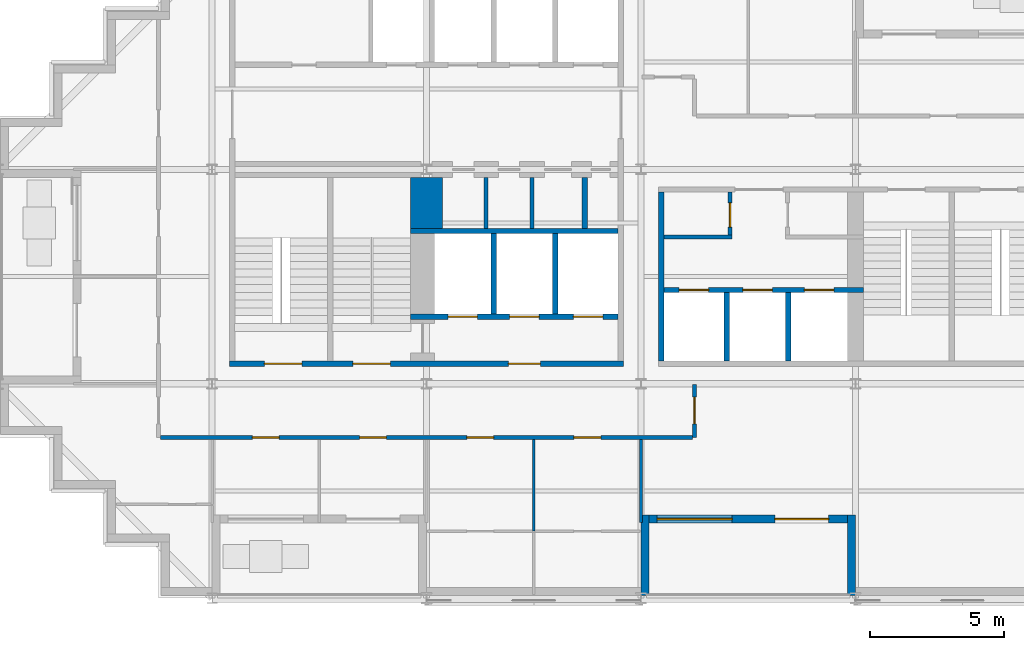
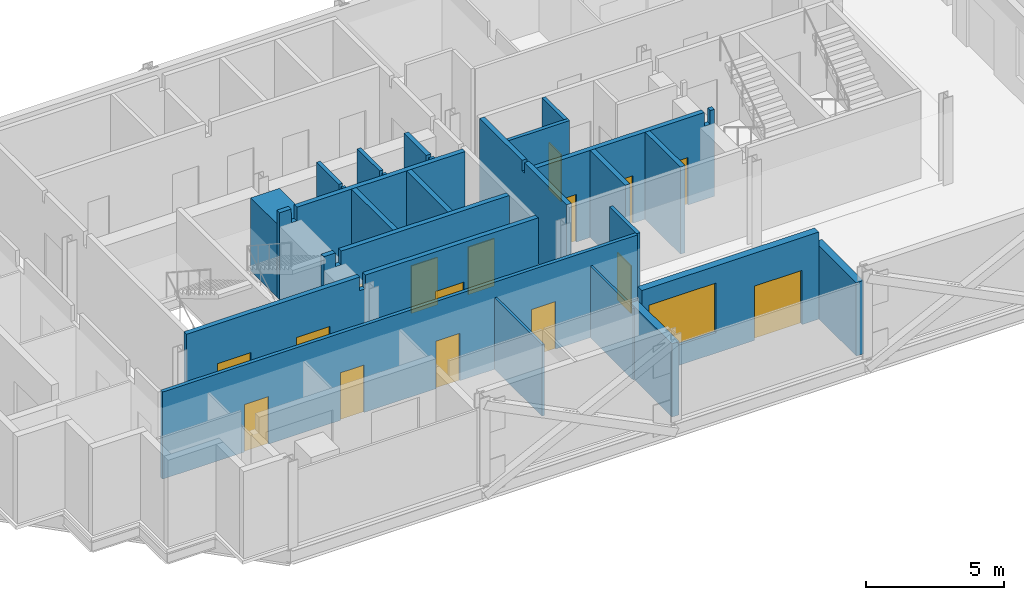
# One storey, part 3 of 8: 22 walls, 16 doors, 1 window, 17 openings.
"""IFC4 building model written with IfcOpenShell, lengths in metres."""

from ifc_helpers import new_model, si_unit, direction, frame, frame_2d, origin, place, context, subcontext, project, spatial, polyline, rectangle, outline, extrude, material, layer, layer_set, type_object, element, fill, save


model = new_model("IFC4")

# Units and contexts
model_context = context("Model", 3, precision=1e-05, world=origin(), true_north=direction((0.0, 1.0)))
body_context = subcontext(model_context, "Body", "Model", "MODEL_VIEW")
ifc_project = project(units=[si_unit("LENGTHUNIT", "METRE"), si_unit("AREAUNIT", "SQUARE_METRE"), si_unit("VOLUMEUNIT", "CUBIC_METRE"), si_unit("PLANEANGLEUNIT", "RADIAN"), si_unit("MASSUNIT", "GRAM", prefix="KILO")], contexts=[model_context])

# Site, building, storey
site_placement = place(None, origin())
site = spatial("IfcSite", under=ifc_project, at=site_placement, CompositionType="ELEMENT")
building_placement = place(site_placement, origin())
building = spatial("IfcBuilding", under=site, at=building_placement, Name="Immortelle Media Tower", CompositionType="ELEMENT")
storey_placement = place(building_placement, frame((0.0, 0.0, 197.0)))
storey = spatial("IfcBuildingStorey", under=building, at=storey_placement, Name="L41", CompositionType="ELEMENT", Elevation=197.0)

# Walls
ifc_material_1 = material(Name="Fire-rated gypsum board", Category="gypsum")
ifc_layer_1 = layer(ifc_material_1, 0.02490234375)
ifc_material_2 = material(Name="Steel ASTM A653 SS Gr 50 stud frame with mineral wool", Category="steel")
ifc_layer_2 = layer(ifc_material_2, 0.10009765625)
ifc_layer_3 = layer(ifc_material_1, 0.02490234375)
ifc_layer_set_1 = layer_set([ifc_layer_1, ifc_layer_2, ifc_layer_3], Name="Steel ASTM A653 SS Gr 50 stud frame with mineral wool")
wall_type_1 = type_object("IfcWallType", Name="Core partition 150", PredefinedType="PARTITIONING", material=ifc_layer_set_1)
for number, where, z_axis, x_axis, name in (
    (1, (18.22509765625, 13.800048828125, 0.0), (0.0, 0.0, 1.0), (0.0, 1.0, 0.0), "Core partition SW"),
    (2, (19.925048828125, 13.800048828125, 0.0), (0.0, 0.0, 1.0), (0.0, 1.0, 0.0), "Core partition SW"),
):
    element("IfcWall", number, at=place(storey_placement, frame(where, z_axis=z_axis, x_axis=x_axis)), inside=storey, type_object=wall_type_1, Name=name, PredefinedType="PARTITIONING", context=body_context, shape_type="SweptSolid", body=[
        extrude(outline(polyline([(0.0, 0.0), (1.89990234375, 0.0), (1.89990234375, 3.85009765625), (0.281494140625, 3.85009765625), (0.280517578125, 3.388916015625), (0.119384765625, 3.388916015625), (0.118408203125, 3.85009765625), (0.0, 3.85009765625), (0.0, 0.0)])), frame((0.0, 0.074951171875, 0.0), z_axis=(0.0, -1.0, 0.0), x_axis=(1.0, 0.0, 0.0)), (0.0, 0.0, 1.0), 0.14990234375),
    ])
wall_1_placement = place(storey_placement, frame((24.85009765625, 13.47509765625, 0.0), z_axis=(0.0, 0.0, 1.0), x_axis=(1.0, 0.0, 0.0)))
element("IfcWall", 3, at=wall_1_placement, inside=storey, type_object=wall_type_1, Name="Core partition SE", PredefinedType="PARTITIONING", context=body_context, shape_type="SweptSolid", body=[
    extrude(rectangle(XDim=2.5498046875, YDim=0.14990234375, at=frame_2d((1.27490234375, 0.0))), origin(), (0.0, 0.0, 1.0), 3.85009765625),
])

# Wall, opening, door
wall_2_placement = place(storey_placement, frame((27.324951171875, 13.550048828125, 0.0), z_axis=(0.0, 0.0, 1.0), x_axis=(0.0, 1.0, 0.0)))
wall_2 = element("IfcWall", 4, at=wall_2_placement, inside=storey, type_object=wall_type_1, Name="Core partition SE", PredefinedType="PARTITIONING", context=body_context, shape_type="SweptSolid", body=[
    extrude(rectangle(XDim=1.599853515625, YDim=0.14990234375, at=frame_2d((0.7998046875, 0.0))), origin(), (0.0, 0.0, 1.0), 3.85009765625),
])
opening_1_placement = place(wall_2_placement, frame((0.300048828125, 0.0, 0.0)))
opening_1 = element("IfcOpeningElement", 5, at=opening_1_placement, cuts=wall_2, Name="Opening O1-K021", PredefinedType="OPENING", context=body_context, shape_type="SweptSolid", body=[
    extrude(rectangle(XDim=0.89990234375, YDim=2.10009765625, at=frame_2d((0.449951171875, 1.050048828125))), frame((0.0, 0.0849609375, 0.0), z_axis=(0.0, -1.0, 0.0), x_axis=(1.0, 0.0, 0.0)), (0.0, 0.0, 1.0), 0.169921875),
])
ifc_material_3 = material(Name="Galvanised steel door leaf and frame ASTM A653", Category="steel")
door_type_1 = type_object("IfcDoorType", Name="Service door 900 x 2100", OperationType="NOTDEFINED", PredefinedType="NOTDEFINED", material=ifc_material_3)
door_1_placement = place(opening_1_placement, origin())
door_1 = element("IfcDoor", 6, at=door_1_placement, inside=storey, type_object=door_type_1, Name="Service O1-K021", OperationType="SINGLE_SWING_RIGHT", OverallHeight=2.10009765625, OverallWidth=0.89990234375, PredefinedType="NOTDEFINED", context=body_context, shape_type="SweptSolid", body=[
    extrude(rectangle(XDim=0.89990234375, YDim=2.10009765625, at=frame_2d((0.449951171875, 1.050048828125))), frame((0.0, 0.02490234375, 0.0), z_axis=(0.0, -1.0, 0.0), x_axis=(1.0, 0.0, 0.0)), (0.0, 0.0, 1.0), 0.050048828125),
])
fill(opening_1, door_1)

# Wall, openings, doors
ifc_layer_4 = layer(ifc_material_1, 0.03759765625)
ifc_layer_5 = layer(ifc_material_2, 0.125)
ifc_layer_6 = layer(ifc_material_1, 0.03759765625)
ifc_layer_set_2 = layer_set([ifc_layer_4, ifc_layer_5, ifc_layer_6], Name="Steel ASTM A653 SS Gr 50 stud frame with mineral wool")
wall_type_2 = type_object("IfcWallType", Name="Core shaft wall 200", PredefinedType="PARTITIONING", material=ifc_layer_set_2)
wall_3_placement = place(storey_placement, frame((15.39990234375, 10.5, 0.0), z_axis=(0.0, 0.0, 1.0), x_axis=(1.0, 0.0, 0.0)))
wall_3 = element("IfcWall", 7, at=wall_3_placement, inside=storey, type_object=wall_type_2, Name="Core shaft wall SW", PredefinedType="PARTITIONING", context=body_context, shape_type="SweptSolid", body=[
    extrude(outline(polyline([(0.0, 0.0), (7.75, 0.0), (7.75, 3.85009765625), (0.718994140625, 3.85009765625), (0.718017578125, 3.241943359375), (0.48193359375, 3.241943359375), (0.48095703125, 3.85009765625), (0.0, 3.85009765625), (0.0, 0.0)])), frame((0.0, 0.10009765625, 0.0), z_axis=(0.0, -1.0, 0.0), x_axis=(1.0, 0.0, 0.0)), (0.0, 0.0, 1.0), 0.199951171875),
])
opening_2_placement = place(wall_3_placement, frame((1.39990234375, 0.0, 0.0)))
opening_2 = element("IfcOpeningElement", 8, at=opening_2_placement, cuts=wall_3, Name="Opening LD", PredefinedType="OPENING", context=body_context, shape_type="SweptSolid", body=[
    extrude(rectangle(XDim=1.10009765625, YDim=2.10009765625, at=frame_2d((0.550048828125, 1.050048828125))), frame((0.0, 0.10986328125, 0.0), z_axis=(0.0, -1.0, 0.0), x_axis=(1.0, 0.0, 0.0)), (0.0, 0.0, 1.0), 0.219970703125),
])
opening_3_placement = place(wall_3_placement, frame((3.699951171875, 0.0, 0.0)))
opening_3 = element("IfcOpeningElement", 9, at=opening_3_placement, cuts=wall_3, Name="Opening LD", PredefinedType="OPENING", context=body_context, shape_type="SweptSolid", body=[
    extrude(rectangle(XDim=1.10009765625, YDim=2.10009765625, at=frame_2d((0.550048828125, 1.050048828125))), frame((0.0, 0.10986328125, 0.0), z_axis=(0.0, -1.0, 0.0), x_axis=(1.0, 0.0, 0.0)), (0.0, 0.0, 1.0), 0.219970703125),
])
opening_4_placement = place(wall_3_placement, frame((6.074951171875, 0.0, 0.0)))
opening_4 = element("IfcOpeningElement", 10, at=opening_4_placement, cuts=wall_3, Name="Opening LD", PredefinedType="OPENING", context=body_context, shape_type="SweptSolid", body=[
    extrude(rectangle(XDim=1.10009765625, YDim=2.10009765625, at=frame_2d((0.550048828125, 1.050048828125))), frame((0.0, 0.10986328125, 0.0), z_axis=(0.0, -1.0, 0.0), x_axis=(1.0, 0.0, 0.0)), (0.0, 0.0, 1.0), 0.219970703125),
])
ifc_material_4 = material(Name="Stainless steel AISI 304", Category="steel")
door_type_2 = type_object("IfcDoorType", Name="Landing door 1100 x 2100", OperationType="SLIDING_TO_LEFT", PredefinedType="NOTDEFINED", material=ifc_material_4)
door_2_placement = place(opening_2_placement, origin())
door_2 = element("IfcDoor", 11, at=door_2_placement, inside=storey, type_object=door_type_2, Name="Landing door FF1 L41", OperationType="SLIDING_TO_LEFT", OverallHeight=2.10009765625, OverallWidth=1.10009765625, PredefinedType="NOTDEFINED", context=body_context, shape_type="SweptSolid", body=[
    extrude(rectangle(XDim=1.10009765625, YDim=2.10009765625, at=frame_2d((0.550048828125, 1.050048828125))), frame((0.0, 0.02490234375, 0.0), z_axis=(0.0, -1.0, 0.0), x_axis=(1.0, 0.0, 0.0)), (0.0, 0.0, 1.0), 0.050048828125),
])
fill(opening_2, door_2)
door_3_placement = place(opening_3_placement, origin())
door_3 = element("IfcDoor", 12, at=door_3_placement, inside=storey, type_object=door_type_2, Name="Landing door FF2 L41", OperationType="SLIDING_TO_LEFT", OverallHeight=2.10009765625, OverallWidth=1.10009765625, PredefinedType="NOTDEFINED", context=body_context, shape_type="SweptSolid", body=[
    extrude(rectangle(XDim=1.10009765625, YDim=2.10009765625, at=frame_2d((0.550048828125, 1.050048828125))), frame((0.0, 0.02490234375, 0.0), z_axis=(0.0, -1.0, 0.0), x_axis=(1.0, 0.0, 0.0)), (0.0, 0.0, 1.0), 0.050048828125),
])
fill(opening_3, door_3)
door_4_placement = place(opening_4_placement, origin())
door_4 = element("IfcDoor", 13, at=door_4_placement, inside=storey, type_object=door_type_2, Name="Landing door FF3 L41", OperationType="SLIDING_TO_LEFT", OverallHeight=2.10009765625, OverallWidth=1.10009765625, PredefinedType="NOTDEFINED", context=body_context, shape_type="SweptSolid", body=[
    extrude(rectangle(XDim=1.10009765625, YDim=2.10009765625, at=frame_2d((0.550048828125, 1.050048828125))), frame((0.0, 0.02490234375, 0.0), z_axis=(0.0, -1.0, 0.0), x_axis=(1.0, 0.0, 0.0)), (0.0, 0.0, 1.0), 0.050048828125),
])
fill(opening_4, door_4)

# Walls
wall_4_placement = place(storey_placement, frame((15.39990234375, 13.699951171875, 0.0), z_axis=(0.0, 0.0, 1.0), x_axis=(1.0, 0.0, 0.0)))
element("IfcWall", 14, at=wall_4_placement, inside=storey, type_object=wall_type_2, Name="Core shaft wall SW", PredefinedType="PARTITIONING", context=body_context, shape_type="SweptSolid", body=[
    extrude(outline(polyline([(0.0, 0.0), (7.75, 0.0), (7.75, 3.85009765625), (0.718994140625, 3.85009765625), (0.718017578125, 3.241943359375), (0.48193359375, 3.241943359375), (0.48095703125, 3.85009765625), (0.0, 3.85009765625), (0.0, 0.0)])), frame((0.0, 0.10009765625, 0.0), z_axis=(0.0, -1.0, 0.0), x_axis=(1.0, 0.0, 0.0)), (0.0, 0.0, 1.0), 0.199951171875),
])
for number, where, z_axis, x_axis, name in (
    (15, (18.5, 10.60009765625, 0.0), (0.0, 0.0, 1.0), (0.0, 1.0, 0.0), "Core shaft wall SW"),
    (16, (20.800048828125, 10.60009765625, 0.0), (0.0, 0.0, 1.0), (0.0, 1.0, 0.0), "Core shaft wall SW"),
):
    element("IfcWall", number, at=place(storey_placement, frame(where, z_axis=z_axis, x_axis=x_axis)), inside=storey, type_object=wall_type_2, Name=name, PredefinedType="PARTITIONING", context=body_context, shape_type="SweptSolid", body=[
        extrude(rectangle(XDim=3.0, YDim=0.199951171875, at=frame_2d((1.5, 0.0))), origin(), (0.0, 0.0, 1.0), 3.85009765625),
    ])
wall_5_placement = place(storey_placement, frame((21.89990234375, 13.800048828125, 0.0), z_axis=(0.0, 0.0, 1.0), x_axis=(0.0, 1.0, 0.0)))
element("IfcWall", 17, at=wall_5_placement, inside=storey, type_object=wall_type_2, Name="Core shaft wall SW", PredefinedType="PARTITIONING", context=body_context, shape_type="SweptSolid", body=[
    extrude(outline(polyline([(0.0, 0.0), (1.89990234375, 0.0), (1.89990234375, 3.85009765625), (0.281494140625, 3.85009765625), (0.280517578125, 3.388916015625), (0.119384765625, 3.388916015625), (0.118408203125, 3.85009765625), (0.0, 3.85009765625), (0.0, 0.0)])), frame((0.0, 0.10009765625, 0.0), z_axis=(0.0, -1.0, 0.0), x_axis=(1.0, 0.0, 0.0)), (0.0, 0.0, 1.0), 0.199951171875),
])
wall_6_placement = place(storey_placement, frame((24.75, 8.85009765625, 0.0), z_axis=(0.0, 0.0, 1.0), x_axis=(0.0, 1.0, 0.0)))
element("IfcWall", 18, at=wall_6_placement, inside=storey, type_object=wall_type_2, Name="Core shaft wall SE", PredefinedType="PARTITIONING", context=body_context, shape_type="SweptSolid", body=[
    extrude(outline(polyline([(0.0, 0.0), (6.2998046875, 0.0), (6.300048828125, 3.85009765625), (3.2314453125, 3.85009765625), (3.23046875, 3.388916015625), (3.069580078125, 3.388916015625), (3.068603515625, 3.85009765625), (0.0, 3.85009765625), (0.0, 0.0)])), frame((0.0, 0.10009765625, 0.0), z_axis=(0.0, -1.0, 0.0), x_axis=(1.0, 0.0, 0.0)), (0.0, 0.0, 1.0), 0.199951171875),
])

# Wall, openings, doors
wall_7_placement = place(storey_placement, frame((24.85009765625, 11.5, 0.0), z_axis=(0.0, 0.0, 1.0), x_axis=(1.0, 0.0, 0.0)))
wall_7 = element("IfcWall", 19, at=wall_7_placement, inside=storey, type_object=wall_type_2, Name="Core shaft wall SE", PredefinedType="PARTITIONING", context=body_context, shape_type="SweptSolid", body=[
    extrude(outline(polyline([(0.0, 0.0), (7.449951171875, 0.0), (7.449951171875, 3.85009765625), (7.26904296875, 3.85009765625), (7.26806640625, 3.241943359375), (7.031982421875, 3.241943359375), (7.031005859375, 3.85009765625), (0.0, 3.85009765625), (0.0, 0.0)])), frame((0.0, 0.10009765625, 0.0), z_axis=(0.0, -1.0, 0.0), x_axis=(1.0, 0.0, 0.0)), (0.0, 0.0, 1.0), 0.199951171875),
])
opening_5_placement = place(wall_7_placement, frame((0.574951171875, 0.0, 0.0)))
opening_5 = element("IfcOpeningElement", 20, at=opening_5_placement, cuts=wall_7, Name="Opening LD", PredefinedType="OPENING", context=body_context, shape_type="SweptSolid", body=[
    extrude(rectangle(XDim=1.10009765625, YDim=2.10009765625, at=frame_2d((0.550048828125, 1.050048828125))), frame((0.0, 0.10986328125, 0.0), z_axis=(0.0, -1.0, 0.0), x_axis=(1.0, 0.0, 0.0)), (0.0, 0.0, 1.0), 0.219970703125),
])
opening_6_placement = place(wall_7_placement, frame((2.949951171875, 0.0, 0.0)))
opening_6 = element("IfcOpeningElement", 21, at=opening_6_placement, cuts=wall_7, Name="Opening LD", PredefinedType="OPENING", context=body_context, shape_type="SweptSolid", body=[
    extrude(rectangle(XDim=1.10009765625, YDim=2.10009765625, at=frame_2d((0.550048828125, 1.050048828125))), frame((0.0, 0.10986328125, 0.0), z_axis=(0.0, -1.0, 0.0), x_axis=(1.0, 0.0, 0.0)), (0.0, 0.0, 1.0), 0.219970703125),
])
opening_7_placement = place(wall_7_placement, frame((5.25, 0.0, 0.0)))
opening_7 = element("IfcOpeningElement", 22, at=opening_7_placement, cuts=wall_7, Name="Opening LD", PredefinedType="OPENING", context=body_context, shape_type="SweptSolid", body=[
    extrude(rectangle(XDim=1.10009765625, YDim=2.10009765625, at=frame_2d((0.550048828125, 1.050048828125))), frame((0.0, 0.10986328125, 0.0), z_axis=(0.0, -1.0, 0.0), x_axis=(1.0, 0.0, 0.0)), (0.0, 0.0, 1.0), 0.219970703125),
])
door_5_placement = place(opening_5_placement, origin())
door_5 = element("IfcDoor", 23, at=door_5_placement, inside=storey, type_object=door_type_2, Name="Landing door HS1 L41", OperationType="SLIDING_TO_LEFT", OverallHeight=2.10009765625, OverallWidth=1.10009765625, PredefinedType="NOTDEFINED", context=body_context, shape_type="SweptSolid", body=[
    extrude(rectangle(XDim=1.10009765625, YDim=2.10009765625, at=frame_2d((0.550048828125, 1.050048828125))), frame((0.0, 0.02490234375, 0.0), z_axis=(0.0, -1.0, 0.0), x_axis=(1.0, 0.0, 0.0)), (0.0, 0.0, 1.0), 0.050048828125),
])
fill(opening_5, door_5)
door_6_placement = place(opening_6_placement, origin())
door_6 = element("IfcDoor", 24, at=door_6_placement, inside=storey, type_object=door_type_2, Name="Landing door HS2 L41", OperationType="SLIDING_TO_LEFT", OverallHeight=2.10009765625, OverallWidth=1.10009765625, PredefinedType="NOTDEFINED", context=body_context, shape_type="SweptSolid", body=[
    extrude(rectangle(XDim=1.10009765625, YDim=2.10009765625, at=frame_2d((0.550048828125, 1.050048828125))), frame((0.0, 0.02490234375, 0.0), z_axis=(0.0, -1.0, 0.0), x_axis=(1.0, 0.0, 0.0)), (0.0, 0.0, 1.0), 0.050048828125),
])
fill(opening_6, door_6)
door_7_placement = place(opening_7_placement, origin())
door_7 = element("IfcDoor", 25, at=door_7_placement, inside=storey, type_object=door_type_2, Name="Landing door HS3 L41", OperationType="SLIDING_TO_LEFT", OverallHeight=2.10009765625, OverallWidth=1.10009765625, PredefinedType="NOTDEFINED", context=body_context, shape_type="SweptSolid", body=[
    extrude(rectangle(XDim=1.10009765625, YDim=2.10009765625, at=frame_2d((0.550048828125, 1.050048828125))), frame((0.0, 0.02490234375, 0.0), z_axis=(0.0, -1.0, 0.0), x_axis=(1.0, 0.0, 0.0)), (0.0, 0.0, 1.0), 0.050048828125),
])
fill(opening_7, door_7)

# Walls
for number, where, z_axis, x_axis, name in (
    (26, (27.199951171875, 8.85009765625, 0.0), (0.0, 0.0, 1.0), (0.0, 1.0, 0.0), "Core shaft wall SE"),
    (27, (29.5, 8.85009765625, 0.0), (0.0, 0.0, 1.0), (0.0, 1.0, 0.0), "Core shaft wall SE"),
):
    element("IfcWall", number, at=place(storey_placement, frame(where, z_axis=z_axis, x_axis=x_axis)), inside=storey, type_object=wall_type_2, Name=name, PredefinedType="PARTITIONING", context=body_context, shape_type="SweptSolid", body=[
        extrude(rectangle(XDim=2.5498046875, YDim=0.199951171875, at=frame_2d((1.27490234375, 0.0))), origin(), (0.0, 0.0, 1.0), 3.85009765625),
    ])

# Wall, openings, doors
ifc_layer_7 = layer(ifc_material_1, 0.012451171875)
ifc_layer_8 = layer(ifc_material_2, 0.125)
ifc_layer_9 = layer(ifc_material_1, 0.012451171875)
ifc_layer_set_3 = layer_set([ifc_layer_7, ifc_layer_8, ifc_layer_9], Name="Steel ASTM A653 SS Gr 50 stud frame with mineral wool")
wall_type_3 = type_object("IfcWallType", Name="Corridor wall 150", PredefinedType="PARTITIONING", material=ifc_layer_set_3)
wall_8_placement = place(storey_placement, frame((6.074951171875, 6.0, 0.0), z_axis=(0.0, 0.0, 1.0), x_axis=(1.0, 0.0, 0.0)))
wall_8 = element("IfcWall", 28, at=wall_8_placement, inside=storey, type_object=wall_type_3, Name="Partition L41-011", PredefinedType="PARTITIONING", context=body_context, shape_type="SweptSolid", body=[
    extrude(rectangle(XDim=19.85009765625, YDim=0.14990234375, at=frame_2d((9.925048828125, 0.0))), origin(), (0.0, 0.0, 1.0), 3.85009765625),
])
opening_8_placement = place(wall_8_placement, frame((12.425048828125, 0.0, 0.0), z_axis=(0.0, 0.0, 1.0), x_axis=(-1.0, 0.0, 0.0)))
opening_8 = element("IfcOpeningElement", 29, at=opening_8_placement, cuts=wall_8, Name="Opening O1-F001", PredefinedType="OPENING", context=body_context, shape_type="SweptSolid", body=[
    extrude(rectangle(XDim=1.0, YDim=2.10009765625, at=frame_2d((0.5, 1.050048828125))), frame((0.0, 0.0849609375, 0.0), z_axis=(0.0, -1.0, 0.0), x_axis=(1.0, 0.0, 0.0)), (0.0, 0.0, 1.0), 0.169921875),
])
opening_9_placement = place(wall_8_placement, frame((16.425048828125, 0.0, 0.0), z_axis=(0.0, 0.0, 1.0), x_axis=(-1.0, 0.0, 0.0)))
opening_9 = element("IfcOpeningElement", 30, at=opening_9_placement, cuts=wall_8, Name="Opening O1-F003", PredefinedType="OPENING", context=body_context, shape_type="SweptSolid", body=[
    extrude(rectangle(XDim=1.0, YDim=2.10009765625, at=frame_2d((0.5, 1.050048828125))), frame((0.0, 0.0849609375, 0.0), z_axis=(0.0, -1.0, 0.0), x_axis=(1.0, 0.0, 0.0)), (0.0, 0.0, 1.0), 0.169921875),
])
opening_10_placement = place(wall_8_placement, frame((4.425048828125, 0.0, 0.0), z_axis=(0.0, 0.0, 1.0), x_axis=(-1.0, 0.0, 0.0)))
opening_10 = element("IfcOpeningElement", 31, at=opening_10_placement, cuts=wall_8, Name="Opening O1-F005", PredefinedType="OPENING", context=body_context, shape_type="SweptSolid", body=[
    extrude(rectangle(XDim=1.0, YDim=2.10009765625, at=frame_2d((0.5, 1.050048828125))), frame((0.0, 0.0849609375, 0.0), z_axis=(0.0, -1.0, 0.0), x_axis=(1.0, 0.0, 0.0)), (0.0, 0.0, 1.0), 0.169921875),
])
opening_11_placement = place(wall_8_placement, frame((8.425048828125, 0.0, 0.0), z_axis=(0.0, 0.0, 1.0), x_axis=(-1.0, 0.0, 0.0)))
opening_11 = element("IfcOpeningElement", 32, at=opening_11_placement, cuts=wall_8, Name="Opening O1-F006", PredefinedType="OPENING", context=body_context, shape_type="SweptSolid", body=[
    extrude(rectangle(XDim=1.0, YDim=2.10009765625, at=frame_2d((0.5, 1.050048828125))), frame((0.0, 0.0849609375, 0.0), z_axis=(0.0, -1.0, 0.0), x_axis=(1.0, 0.0, 0.0)), (0.0, 0.0, 1.0), 0.169921875),
])
ifc_material_5 = material(Name="Timber veneered door leaf, galvanised steel frame ASTM A653", Category="steel")
door_type_3 = type_object("IfcDoorType", Name="Room door 1000 x 2100", OperationType="NOTDEFINED", PredefinedType="DOOR", material=ifc_material_5)
door_8_placement = place(opening_8_placement, origin())
door_8 = element("IfcDoor", 33, at=door_8_placement, inside=storey, type_object=door_type_3, Name="Door O1-F001", OperationType="SINGLE_SWING_RIGHT", OverallHeight=2.10009765625, OverallWidth=1.0, PredefinedType="DOOR", context=body_context, shape_type="SweptSolid", body=[
    extrude(rectangle(XDim=1.0, YDim=2.10009765625, at=frame_2d((0.5, 1.050048828125))), frame((0.0, 0.02490234375, 0.0), z_axis=(0.0, -1.0, 0.0), x_axis=(1.0, 0.0, 0.0)), (0.0, 0.0, 1.0), 0.050048828125),
])
fill(opening_8, door_8)
door_9_placement = place(opening_9_placement, origin())
door_9 = element("IfcDoor", 34, at=door_9_placement, inside=storey, type_object=door_type_3, Name="Door O1-F003", OperationType="SINGLE_SWING_RIGHT", OverallHeight=2.10009765625, OverallWidth=1.0, PredefinedType="DOOR", context=body_context, shape_type="SweptSolid", body=[
    extrude(rectangle(XDim=1.0, YDim=2.10009765625, at=frame_2d((0.5, 1.050048828125))), frame((0.0, 0.02490234375, 0.0), z_axis=(0.0, -1.0, 0.0), x_axis=(1.0, 0.0, 0.0)), (0.0, 0.0, 1.0), 0.050048828125),
])
fill(opening_9, door_9)
door_10_placement = place(opening_10_placement, origin())
door_10 = element("IfcDoor", 35, at=door_10_placement, inside=storey, type_object=door_type_3, Name="Door O1-F005", OperationType="SINGLE_SWING_LEFT", OverallHeight=2.10009765625, OverallWidth=1.0, PredefinedType="DOOR", context=body_context, shape_type="SweptSolid", body=[
    extrude(rectangle(XDim=1.0, YDim=2.10009765625, at=frame_2d((0.5, 1.050048828125))), frame((0.0, 0.02490234375, 0.0), z_axis=(0.0, -1.0, 0.0), x_axis=(1.0, 0.0, 0.0)), (0.0, 0.0, 1.0), 0.050048828125),
])
fill(opening_10, door_10)
door_11_placement = place(opening_11_placement, origin())
door_11 = element("IfcDoor", 36, at=door_11_placement, inside=storey, type_object=door_type_3, Name="Door O1-F006", OperationType="SINGLE_SWING_RIGHT", OverallHeight=2.10009765625, OverallWidth=1.0, PredefinedType="DOOR", context=body_context, shape_type="SweptSolid", body=[
    extrude(rectangle(XDim=1.0, YDim=2.10009765625, at=frame_2d((0.5, 1.050048828125))), frame((0.0, 0.02490234375, 0.0), z_axis=(0.0, -1.0, 0.0), x_axis=(1.0, 0.0, 0.0)), (0.0, 0.0, 1.0), 0.050048828125),
])
fill(opening_11, door_11)

# Wall, opening, door
wall_9_placement = place(storey_placement, frame((26.0, 6.0, 0.0), z_axis=(0.0, 0.0, 1.0), x_axis=(0.0, 1.0, 0.0)))
wall_9 = element("IfcWall", 37, at=wall_9_placement, inside=storey, type_object=wall_type_3, Name="Partition L41-013", PredefinedType="PARTITIONING", context=body_context, shape_type="SweptSolid", body=[
    extrude(rectangle(XDim=1.969970703125, YDim=0.14990234375, at=frame_2d((0.98486328125, 0.0))), origin(), (0.0, 0.0, 1.0), 3.85009765625),
])
opening_12_placement = place(wall_9_placement, frame((1.5, 0.0, 0.0), z_axis=(0.0, 0.0, 1.0), x_axis=(-1.0, 0.0, 0.0)))
opening_12 = element("IfcOpeningElement", 38, at=opening_12_placement, cuts=wall_9, Name="Opening O1-F009", PredefinedType="OPENING", context=body_context, shape_type="SweptSolid", body=[
    extrude(rectangle(XDim=1.0, YDim=2.10009765625, at=frame_2d((0.5, 1.050048828125))), frame((0.0, 0.0849609375, 0.0), z_axis=(0.0, -1.0, 0.0), x_axis=(1.0, 0.0, 0.0)), (0.0, 0.0, 1.0), 0.169921875),
])
door_12_placement = place(opening_12_placement, origin())
door_12 = element("IfcDoor", 39, at=door_12_placement, inside=storey, type_object=door_type_3, Name="Door O1-F009", OperationType="SINGLE_SWING_LEFT", OverallHeight=2.10009765625, OverallWidth=1.0, PredefinedType="DOOR", context=body_context, shape_type="SweptSolid", body=[
    extrude(rectangle(XDim=1.0, YDim=2.10009765625, at=frame_2d((0.5, 1.050048828125))), frame((0.0, 0.02490234375, 0.0), z_axis=(0.0, -1.0, 0.0), x_axis=(1.0, 0.0, 0.0)), (0.0, 0.0, 1.0), 0.050048828125),
])
fill(opening_12, door_12)

# Wall, openings, door, window
ifc_material_6 = material(Name="Pale aluminium cladding panel", Category="aluminium")
ifc_layer_10 = layer(ifc_material_6, 0.030029296875)
ifc_layer_11 = layer(ifc_material_2, 0.257568359375)
ifc_material_7 = material(Name="Moisture-resistant gypsum board", Category="gypsum")
ifc_layer_12 = layer(ifc_material_7, 0.012451171875)
ifc_layer_set_4 = layer_set([ifc_layer_10, ifc_layer_11, ifc_layer_12], Name="Steel ASTM A653 SS Gr 50 stud frame with mineral wool")
wall_type_4 = type_object("IfcWallType", Name="Facade wall 300", PredefinedType="SOLIDWALL", material=ifc_layer_set_4)
wall_10_placement = place(storey_placement, frame((24.300048828125, 2.949951171875, 0.0), z_axis=(0.0, 0.0, 1.0), x_axis=(1.0, 0.0, 0.0)))
wall_10 = element("IfcWall", 40, at=wall_10_placement, inside=storey, type_object=wall_type_4, Name="Loggia wall L41 S6", PredefinedType="SOLIDWALL", context=body_context, shape_type="SweptSolid", body=[
    extrude(rectangle(XDim=7.39990234375, YDim=0.300048828125, at=frame_2d((3.699951171875, 0.0))), origin(), (0.0, 0.0, 1.0), 3.85009765625),
])
opening_13_placement = place(wall_10_placement, frame((0.300048828125, 0.0, 0.89990234375)))
opening_13 = element("IfcOpeningElement", 41, at=opening_13_placement, cuts=wall_10, Name="Opening W1", PredefinedType="OPENING", context=body_context, shape_type="SweptSolid", body=[
    extrude(rectangle(XDim=2.800048828125, YDim=2.199951171875, at=frame_2d((1.39990234375, 1.10009765625))), frame((0.0, 0.159912109375, 0.0), z_axis=(0.0, -1.0, 0.0), x_axis=(1.0, 0.0, 0.0)), (0.0, 0.0, 1.0), 0.320068359375),
])
opening_14_placement = place(wall_10_placement, frame((4.699951171875, 0.0, 0.0)))
opening_14 = element("IfcOpeningElement", 42, at=opening_14_placement, cuts=wall_10, Name="Opening O1-E002", PredefinedType="OPENING", context=body_context, shape_type="SweptSolid", body=[
    extrude(rectangle(XDim=2.0, YDim=2.39990234375, at=frame_2d((1.0, 1.199951171875))), frame((0.0, 0.159912109375, 0.0), z_axis=(0.0, -1.0, 0.0), x_axis=(1.0, 0.0, 0.0)), (0.0, 0.0, 1.0), 0.320068359375),
])
ifc_material_8 = material(Name="Aluminium frame, glazed leaves", Category="aluminium")
door_type_4 = type_object("IfcDoorType", Name="Loggia door 2000 x 2400", OperationType="DOUBLE_DOOR_SINGLE_SWING", PredefinedType="DOOR", material=ifc_material_8)
door_13_placement = place(opening_14_placement, origin())
door_13 = element("IfcDoor", 43, at=door_13_placement, inside=storey, type_object=door_type_4, Name="Door O1-E002", OperationType="DOUBLE_DOOR_SINGLE_SWING", OverallHeight=2.39990234375, OverallWidth=2.0, PredefinedType="DOOR", context=body_context, shape_type="SweptSolid", body=[
    extrude(rectangle(XDim=2.0, YDim=2.39990234375, at=frame_2d((1.0, 1.199951171875))), frame((0.0, 0.02490234375, 0.0), z_axis=(0.0, -1.0, 0.0), x_axis=(1.0, 0.0, 0.0)), (0.0, 0.0, 1.0), 0.050048828125),
])
fill(opening_14, door_13)
ifc_material_9 = material(Name="Aluminium frame", Category="aluminium")
window_type = type_object("IfcWindowType", Name="Window 2800 x 2200", PartitioningType="SINGLE_PANEL", PredefinedType="WINDOW", material=ifc_material_9)
window_placement = place(opening_13_placement, origin())
window = element("IfcWindow", 44, at=window_placement, inside=storey, type_object=window_type, Name="Window L41 L41-R6-B2", OverallHeight=2.199951171875, OverallWidth=2.800048828125, PartitioningType="SINGLE_PANEL", PredefinedType="WINDOW", context=body_context, shape_type="SweptSolid", body=[
    extrude(rectangle(XDim=2.800048828125, YDim=2.199951171875, at=frame_2d((1.39990234375, 1.10009765625))), frame((0.0, 0.030029296875, 0.0), z_axis=(0.0, -1.0, 0.0), x_axis=(1.0, 0.0, 0.0)), (0.0, 0.0, 1.0), 0.06005859375),
])
fill(opening_13, window)

# Walls
for number, where, z_axis, x_axis, name in (
    (45, (24.14990234375, 0.10009765625, 0.0), (0.0, 0.0, 1.0), (0.0, 1.0, 0.0), "Loggia cheek wall L41 S"),
    (46, (31.85009765625, 0.10009765625, 0.0), (0.0, 0.0, 1.0), (0.0, 1.0, 0.0), "Loggia cheek wall L41 S"),
):
    element("IfcWall", number, at=place(storey_placement, frame(where, z_axis=z_axis, x_axis=x_axis)), inside=storey, type_object=wall_type_4, Name=name, PredefinedType="SOLIDWALL", context=body_context, shape_type="SweptSolid", body=[
        extrude(rectangle(XDim=3.0, YDim=0.300048828125, at=frame_2d((1.5, 0.0))), origin(), (0.0, 0.0, 1.0), 3.237060546875),
    ])
ifc_material_10 = material(Name="Gypsum board", Category="gypsum")
ifc_layer_13 = layer(ifc_material_10, 0.012451171875)
ifc_layer_14 = layer(ifc_material_2, 0.074951171875)
ifc_layer_15 = layer(ifc_material_10, 0.012451171875)
ifc_layer_set_5 = layer_set([ifc_layer_13, ifc_layer_14, ifc_layer_15], Name="Steel ASTM A653 SS Gr 50 stud frame with mineral wool")
wall_type_5 = type_object("IfcWallType", Name="Partition 100", PredefinedType="PARTITIONING", material=ifc_layer_set_5)
wall_11_placement = place(storey_placement, frame((20.0, 2.5, 0.0), z_axis=(0.0, 0.0, 1.0), x_axis=(0.0, 1.0, 0.0)))
element("IfcWall", 47, at=wall_11_placement, inside=storey, type_object=wall_type_5, Name="Partition L41-004", PredefinedType="PARTITIONING", context=body_context, shape_type="SweptSolid", body=[
    extrude(rectangle(XDim=3.425048828125, YDim=0.10009765625, at=frame_2d((1.71240234375, 0.0))), origin(), (0.0, 0.0, 1.0), 3.156982421875),
])
wall_12_placement = place(storey_placement, frame((24.0, 2.830078125, 0.0), z_axis=(0.0, 0.0, 1.0), x_axis=(0.0, 1.0, 0.0)))
element("IfcWall", 48, at=wall_12_placement, inside=storey, type_object=wall_type_5, Name="Partition L41-008", PredefinedType="PARTITIONING", context=body_context, shape_type="SweptSolid", body=[
    extrude(rectangle(XDim=3.094970703125, YDim=0.10009765625, at=frame_2d((1.54736328125, 0.0))), origin(), (0.0, 0.0, 1.0), 3.156982421875),
])
ifc_material_11 = material(Name="Concrete C60", Category="concrete")
ifc_layer_16 = layer(ifc_material_11, 1.199951171875)
ifc_layer_set_6 = layer_set([ifc_layer_16], Name="Concrete C60")
wall_type_6 = type_object("IfcWallType", Name="Stair shaft wall 1200", PredefinedType="PARTITIONING", material=ifc_layer_set_6)
wall_13_placement = place(storey_placement, frame((16.0, 13.800048828125, 0.0), z_axis=(0.0, 0.0, 1.0), x_axis=(0.0, 1.0, 0.0)))
element("IfcWall", 49, at=wall_13_placement, inside=storey, type_object=wall_type_6, Name="Stair shaft wall SW", PredefinedType="PARTITIONING", context=body_context, shape_type="SweptSolid", body=[
    extrude(rectangle(XDim=1.89990234375, YDim=1.199951171875, at=frame_2d((0.949951171875, 0.0))), origin(), (0.0, 0.0, 1.0), 3.241943359375),
])

# Wall, openings, doors
ifc_layer_17 = layer(ifc_material_11, 0.199951171875)
ifc_layer_set_7 = layer_set([ifc_layer_17], Name="Concrete C60")
wall_type_7 = type_object("IfcWallType", Name="Stair shaft wall 200", PredefinedType="PARTITIONING", material=ifc_layer_set_7)
wall_14_placement = place(storey_placement, frame((8.64990234375, 8.75, 0.0), z_axis=(0.0, 0.0, 1.0), x_axis=(1.0, 0.0, 0.0)))
wall_14 = element("IfcWall", 50, at=wall_14_placement, inside=storey, type_object=wall_type_7, Name="Stair shaft wall SW", PredefinedType="PARTITIONING", context=body_context, shape_type="SweptSolid", body=[
    extrude(outline(polyline([(0.0, 0.0), (14.7001953125, 0.0), (14.699951171875, 3.85009765625), (7.468994140625, 3.85009765625), (7.468017578125, 3.241943359375), (7.23193359375, 3.241943359375), (7.23095703125, 3.85009765625), (0.0, 3.85009765625), (0.0, 0.0)])), frame((0.0, 0.10009765625, 0.0), z_axis=(0.0, -1.0, 0.0), x_axis=(1.0, 0.0, 0.0)), (0.0, 0.0, 1.0), 0.199951171875),
])
opening_15_placement = place(wall_14_placement, frame((1.300048828125, 0.0, 0.0)))
opening_15 = element("IfcOpeningElement", 51, at=opening_15_placement, cuts=wall_14, Name="Opening O1-K002", PredefinedType="OPENING", context=body_context, shape_type="SweptSolid", body=[
    extrude(rectangle(XDim=1.39990234375, YDim=2.10009765625, at=frame_2d((0.699951171875, 1.050048828125))), frame((0.0, 0.10986328125, 0.0), z_axis=(0.0, -1.0, 0.0), x_axis=(1.0, 0.0, 0.0)), (0.0, 0.0, 1.0), 0.219970703125),
])
opening_16_placement = place(wall_14_placement, frame((4.60009765625, 0.0, 0.0)))
opening_16 = element("IfcOpeningElement", 52, at=opening_16_placement, cuts=wall_14, Name="Opening O1-K005", PredefinedType="OPENING", context=body_context, shape_type="SweptSolid", body=[
    extrude(rectangle(XDim=1.39990234375, YDim=2.10009765625, at=frame_2d((0.699951171875, 1.050048828125))), frame((0.0, 0.10986328125, 0.0), z_axis=(0.0, -1.0, 0.0), x_axis=(1.0, 0.0, 0.0)), (0.0, 0.0, 1.0), 0.219970703125),
])
opening_17_placement = place(wall_14_placement, frame((10.39990234375, 0.0, 0.0)))
opening_17 = element("IfcOpeningElement", 53, at=opening_17_placement, cuts=wall_14, Name="Opening O1-K012", PredefinedType="OPENING", context=body_context, shape_type="SweptSolid", body=[
    extrude(rectangle(XDim=1.199951171875, YDim=2.10009765625, at=frame_2d((0.60009765625, 1.050048828125))), frame((0.0, 0.10986328125, 0.0), z_axis=(0.0, -1.0, 0.0), x_axis=(1.0, 0.0, 0.0)), (0.0, 0.0, 1.0), 0.219970703125),
])
door_type_5 = type_object("IfcDoorType", Name="Fire-fighting lobby door 1200 x 2100", OperationType="NOTDEFINED", PredefinedType="NOTDEFINED", material=ifc_material_3)
door_14_placement = place(opening_17_placement, origin())
door_14 = element("IfcDoor", 54, at=door_14_placement, inside=storey, type_object=door_type_5, Name="Fire-fighting lobby O1-K012", OperationType="SINGLE_SWING_RIGHT", OverallHeight=2.10009765625, OverallWidth=1.199951171875, PredefinedType="NOTDEFINED", context=body_context, shape_type="SweptSolid", body=[
    extrude(rectangle(XDim=1.199951171875, YDim=2.10009765625, at=frame_2d((0.60009765625, 1.050048828125))), frame((0.0, 0.02490234375, 0.0), z_axis=(0.0, -1.0, 0.0), x_axis=(1.0, 0.0, 0.0)), (0.0, 0.0, 1.0), 0.050048828125),
])
fill(opening_17, door_14)
door_type_6 = type_object("IfcDoorType", Name="Stair door 1400 x 2100", OperationType="DOUBLE_DOOR_SINGLE_SWING", PredefinedType="NOTDEFINED", material=ifc_material_3)
door_15_placement = place(opening_15_placement, origin())
door_15 = element("IfcDoor", 55, at=door_15_placement, inside=storey, type_object=door_type_6, Name="Stair O1-K002", OperationType="DOUBLE_DOOR_SINGLE_SWING", OverallHeight=2.10009765625, OverallWidth=1.39990234375, PredefinedType="NOTDEFINED", context=body_context, shape_type="SweptSolid", body=[
    extrude(rectangle(XDim=1.39990234375, YDim=2.10009765625, at=frame_2d((0.699951171875, 1.050048828125))), frame((0.0, 0.02490234375, 0.0), z_axis=(0.0, -1.0, 0.0), x_axis=(1.0, 0.0, 0.0)), (0.0, 0.0, 1.0), 0.050048828125),
])
fill(opening_15, door_15)
door_16_placement = place(opening_16_placement, origin())
door_16 = element("IfcDoor", 56, at=door_16_placement, inside=storey, type_object=door_type_6, Name="Stair O1-K005", OperationType="DOUBLE_DOOR_SINGLE_SWING", OverallHeight=2.10009765625, OverallWidth=1.39990234375, PredefinedType="NOTDEFINED", context=body_context, shape_type="SweptSolid", body=[
    extrude(rectangle(XDim=1.39990234375, YDim=2.10009765625, at=frame_2d((0.699951171875, 1.050048828125))), frame((0.0, 0.02490234375, 0.0), z_axis=(0.0, -1.0, 0.0), x_axis=(1.0, 0.0, 0.0)), (0.0, 0.0, 1.0), 0.050048828125),
])
fill(opening_16, door_16)

save(model, "model.ifc")
